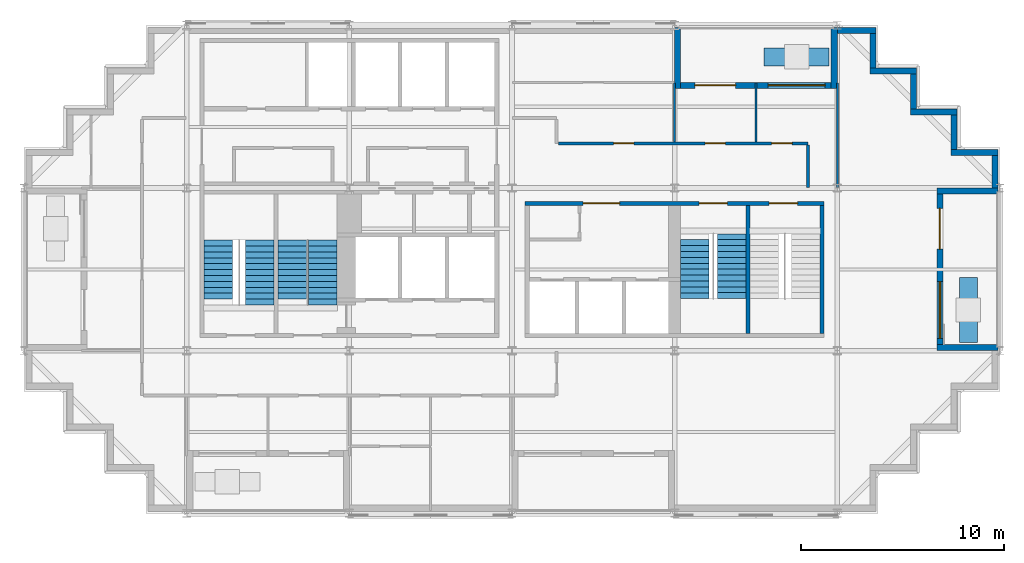
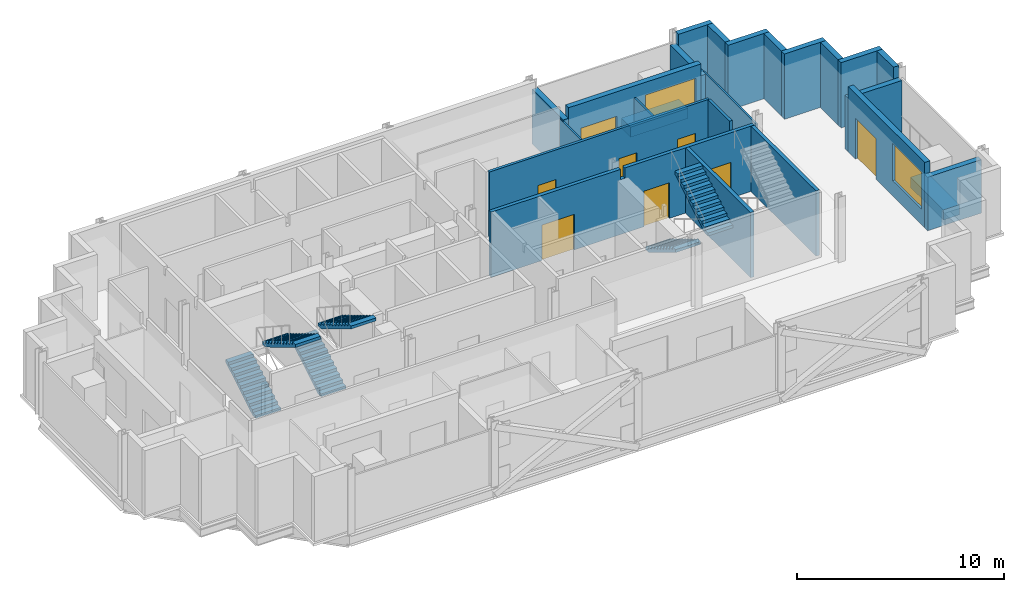
# One storey, part 5 of 8: 24 walls, 8 doors, 6 stair flights, 2 windows, 10 openings, 3 elements without a shape of their own.
"""IFC4 building model written with IfcOpenShell, lengths in metres."""

from ifc_helpers import new_model, si_unit, direction, frame, frame_2d, origin, place, context, subcontext, project, spatial, polyline, rectangle, outline, extrude, material, layer, layer_set, type_object, element, fill, aggregate, save


model = new_model("IFC4")

# Units and contexts
model_context = context("Model", 3, precision=1e-05, world=origin(), true_north=direction((0.0, 1.0)))
body_context = subcontext(model_context, "Body", "Model", "MODEL_VIEW")
ifc_project = project(units=[si_unit("LENGTHUNIT", "METRE"), si_unit("AREAUNIT", "SQUARE_METRE"), si_unit("VOLUMEUNIT", "CUBIC_METRE"), si_unit("PLANEANGLEUNIT", "RADIAN"), si_unit("MASSUNIT", "GRAM", prefix="KILO")], contexts=[model_context])

# Site, building, storey
site_placement = place(None, origin())
site = spatial("IfcSite", under=ifc_project, at=site_placement, CompositionType="ELEMENT")
building_placement = place(site_placement, origin())
building = spatial("IfcBuilding", under=site, at=building_placement, Name="Immortelle Media Tower", CompositionType="ELEMENT")
storey_placement = place(building_placement, frame((0.0, 0.0, 209.0)))
storey = spatial("IfcBuildingStorey", under=building, at=storey_placement, Name="L44", CompositionType="ELEMENT", Elevation=209.0)

# Wall
ifc_material_1 = material(Name="Fire-rated gypsum board", Category="gypsum")
ifc_layer_1 = layer(ifc_material_1, 0.012451171875)
ifc_material_2 = material(Name="Steel ASTM A653 SS Gr 50 stud frame with mineral wool", Category="steel")
ifc_layer_2 = layer(ifc_material_2, 0.125)
ifc_layer_3 = layer(ifc_material_1, 0.012451171875)
ifc_layer_set_1 = layer_set([ifc_layer_1, ifc_layer_2, ifc_layer_3], Name="Steel ASTM A653 SS Gr 50 stud frame with mineral wool")
wall_type_1 = type_object("IfcWallType", Name="Corridor wall 150", PredefinedType="PARTITIONING", material=ifc_layer_set_1)
wall_1_placement = place(storey_placement, frame((38.550048828125, 16.030029296875, 0.0), z_axis=(0.0, 0.0, 1.0), x_axis=(0.0, 1.0, 0.0)))
element("IfcWall", 1, at=wall_1_placement, inside=storey, type_object=wall_type_1, Name="Partition L44-016", PredefinedType="PARTITIONING", context=body_context, shape_type="SweptSolid", body=[
    extrude(rectangle(XDim=2.094970703125, YDim=0.14990234375, at=frame_2d((1.04736328125, 0.0))), origin(), (0.0, 0.0, 1.0), 3.85009765625),
])

# Wall, openings, doors
wall_2_placement = place(storey_placement, frame((26.27490234375, 18.199951171875, 0.0), z_axis=(0.0, 0.0, 1.0), x_axis=(1.0, 0.0, 0.0)))
wall_2 = element("IfcWall", 2, at=wall_2_placement, inside=storey, type_object=wall_type_1, Name="Partition L44-018", PredefinedType="PARTITIONING", context=body_context, shape_type="SweptSolid", body=[
    extrude(rectangle(XDim=12.275146484375, YDim=0.14990234375, at=frame_2d((6.1376953125, 0.0))), origin(), (0.0, 0.0, 1.0), 3.85009765625),
])
opening_1_placement = place(wall_2_placement, frame((7.22509765625, 0.0, 0.0)))
opening_1 = element("IfcOpeningElement", 3, at=opening_1_placement, cuts=wall_2, Name="Opening O3-F011", PredefinedType="OPENING", context=body_context, shape_type="SweptSolid", body=[
    extrude(rectangle(XDim=1.0, YDim=2.10009765625, at=frame_2d((0.5, 1.050048828125))), frame((0.0, 0.0849609375, 0.0), z_axis=(0.0, -1.0, 0.0), x_axis=(1.0, 0.0, 0.0)), (0.0, 0.0, 1.0), 0.169921875),
])
opening_2_placement = place(wall_2_placement, frame((10.5, 0.0, 0.0)))
opening_2 = element("IfcOpeningElement", 4, at=opening_2_placement, cuts=wall_2, Name="Opening O3-F012", PredefinedType="OPENING", context=body_context, shape_type="SweptSolid", body=[
    extrude(rectangle(XDim=1.0, YDim=2.10009765625, at=frame_2d((0.5, 1.050048828125))), frame((0.0, 0.0849609375, 0.0), z_axis=(0.0, -1.0, 0.0), x_axis=(1.0, 0.0, 0.0)), (0.0, 0.0, 1.0), 0.169921875),
])
opening_3_placement = place(wall_2_placement, frame((2.72509765625, 0.0, 0.0)))
opening_3 = element("IfcOpeningElement", 5, at=opening_3_placement, cuts=wall_2, Name="Opening O3-F013", PredefinedType="OPENING", context=body_context, shape_type="SweptSolid", body=[
    extrude(rectangle(XDim=1.0, YDim=2.10009765625, at=frame_2d((0.5, 1.050048828125))), frame((0.0, 0.0849609375, 0.0), z_axis=(0.0, -1.0, 0.0), x_axis=(1.0, 0.0, 0.0)), (0.0, 0.0, 1.0), 0.169921875),
])
ifc_material_3 = material(Name="Timber veneered door leaf, galvanised steel frame ASTM A653", Category="steel")
door_type_1 = type_object("IfcDoorType", Name="Room door 1000 x 2100", OperationType="NOTDEFINED", PredefinedType="DOOR", material=ifc_material_3)
door_1_placement = place(opening_1_placement, origin())
door_1 = element("IfcDoor", 6, at=door_1_placement, inside=storey, type_object=door_type_1, Name="Door O3-F011", OperationType="SINGLE_SWING_LEFT", OverallHeight=2.10009765625, OverallWidth=1.0, PredefinedType="DOOR", context=body_context, shape_type="SweptSolid", body=[
    extrude(rectangle(XDim=1.0, YDim=2.10009765625, at=frame_2d((0.5, 1.050048828125))), frame((0.0, 0.02490234375, 0.0), z_axis=(0.0, -1.0, 0.0), x_axis=(1.0, 0.0, 0.0)), (0.0, 0.0, 1.0), 0.050048828125),
])
fill(opening_1, door_1)
door_2_placement = place(opening_2_placement, origin())
door_2 = element("IfcDoor", 7, at=door_2_placement, inside=storey, type_object=door_type_1, Name="Door O3-F012", OperationType="SINGLE_SWING_LEFT", OverallHeight=2.10009765625, OverallWidth=1.0, PredefinedType="DOOR", context=body_context, shape_type="SweptSolid", body=[
    extrude(rectangle(XDim=1.0, YDim=2.10009765625, at=frame_2d((0.5, 1.050048828125))), frame((0.0, 0.02490234375, 0.0), z_axis=(0.0, -1.0, 0.0), x_axis=(1.0, 0.0, 0.0)), (0.0, 0.0, 1.0), 0.050048828125),
])
fill(opening_2, door_2)
door_3_placement = place(opening_3_placement, origin())
door_3 = element("IfcDoor", 8, at=door_3_placement, inside=storey, type_object=door_type_1, Name="Door O3-F013", OperationType="SINGLE_SWING_RIGHT", OverallHeight=2.10009765625, OverallWidth=1.0, PredefinedType="DOOR", context=body_context, shape_type="SweptSolid", body=[
    extrude(rectangle(XDim=1.0, YDim=2.10009765625, at=frame_2d((0.5, 1.050048828125))), frame((0.0, 0.02490234375, 0.0), z_axis=(0.0, -1.0, 0.0), x_axis=(1.0, 0.0, 0.0)), (0.0, 0.0, 1.0), 0.050048828125),
])
fill(opening_3, door_3)

# Wall, openings, door, window
ifc_material_4 = material(Name="Pale aluminium cladding panel", Category="aluminium")
ifc_layer_4 = layer(ifc_material_4, 0.030029296875)
ifc_layer_5 = layer(ifc_material_2, 0.257568359375)
ifc_material_5 = material(Name="Moisture-resistant gypsum board", Category="gypsum")
ifc_layer_6 = layer(ifc_material_5, 0.012451171875)
ifc_layer_set_2 = layer_set([ifc_layer_4, ifc_layer_5, ifc_layer_6], Name="Steel ASTM A653 SS Gr 50 stud frame with mineral wool")
wall_type_2 = type_object("IfcWallType", Name="Facade wall 300", PredefinedType="SOLIDWALL", material=ifc_layer_set_2)
wall_3_placement = place(storey_placement, frame((45.050048828125, 8.300048828125, 0.0), z_axis=(0.0, 0.0, 1.0), x_axis=(0.0, 1.0, 0.0)))
wall_3 = element("IfcWall", 9, at=wall_3_placement, inside=storey, type_object=wall_type_2, Name="Loggia wall L44 E13", PredefinedType="SOLIDWALL", context=body_context, shape_type="SweptSolid", body=[
    extrude(rectangle(XDim=7.39990234375, YDim=0.300048828125, at=frame_2d((3.699951171875, 0.0))), origin(), (0.0, 0.0, 1.0), 3.85009765625),
])
opening_4_placement = place(wall_3_placement, frame((0.300048828125, 0.0, 0.89990234375)))
opening_4 = element("IfcOpeningElement", 10, at=opening_4_placement, cuts=wall_3, Name="Opening W1", PredefinedType="OPENING", context=body_context, shape_type="SweptSolid", body=[
    extrude(rectangle(XDim=2.800048828125, YDim=2.199951171875, at=frame_2d((1.39990234375, 1.10009765625))), frame((0.0, 0.159912109375, 0.0), z_axis=(0.0, -1.0, 0.0), x_axis=(1.0, 0.0, 0.0)), (0.0, 0.0, 1.0), 0.320068359375),
])
opening_5_placement = place(wall_3_placement, frame((4.699951171875, 0.0, 0.0)))
opening_5 = element("IfcOpeningElement", 11, at=opening_5_placement, cuts=wall_3, Name="Opening O3-E003", PredefinedType="OPENING", context=body_context, shape_type="SweptSolid", body=[
    extrude(rectangle(XDim=2.0, YDim=2.39990234375, at=frame_2d((1.0, 1.199951171875))), frame((0.0, 0.159912109375, 0.0), z_axis=(0.0, -1.0, 0.0), x_axis=(1.0, 0.0, 0.0)), (0.0, 0.0, 1.0), 0.320068359375),
])
ifc_material_6 = material(Name="Aluminium frame, glazed leaves", Category="aluminium")
door_type_2 = type_object("IfcDoorType", Name="Loggia door 2000 x 2400", OperationType="DOUBLE_DOOR_SINGLE_SWING", PredefinedType="DOOR", material=ifc_material_6)
door_4_placement = place(opening_5_placement, origin())
door_4 = element("IfcDoor", 12, at=door_4_placement, inside=storey, type_object=door_type_2, Name="Door O3-E003", OperationType="DOUBLE_DOOR_SINGLE_SWING", OverallHeight=2.39990234375, OverallWidth=2.0, PredefinedType="DOOR", context=body_context, shape_type="SweptSolid", body=[
    extrude(rectangle(XDim=2.0, YDim=2.39990234375, at=frame_2d((1.0, 1.199951171875))), frame((0.0, 0.02490234375, 0.0), z_axis=(0.0, -1.0, 0.0), x_axis=(1.0, 0.0, 0.0)), (0.0, 0.0, 1.0), 0.050048828125),
])
fill(opening_5, door_4)
ifc_material_7 = material(Name="Aluminium frame", Category="aluminium")
window_type = type_object("IfcWindowType", Name="Window 2800 x 2200", PartitioningType="SINGLE_PANEL", PredefinedType="WINDOW", material=ifc_material_7)
window_1_placement = place(opening_4_placement, origin())
window_1 = element("IfcWindow", 13, at=window_1_placement, inside=storey, type_object=window_type, Name="Window L44 L44-R13-B0", OverallHeight=2.199951171875, OverallWidth=2.800048828125, PartitioningType="SINGLE_PANEL", PredefinedType="WINDOW", context=body_context, shape_type="SweptSolid", body=[
    extrude(rectangle(XDim=2.800048828125, YDim=2.199951171875, at=frame_2d((1.39990234375, 1.10009765625))), frame((0.0, 0.030029296875, 0.0), z_axis=(0.0, -1.0, 0.0), x_axis=(1.0, 0.0, 0.0)), (0.0, 0.0, 1.0), 0.06005859375),
])
fill(opening_4, window_1)

# Walls
for number, where, z_axis, x_axis, name in (
    (14, (47.89990234375, 8.14990234375, 0.0), (0.0, 0.0, 1.0), (-1.0, 0.0, 0.0), "Loggia cheek wall L44 E"),
    (15, (47.89990234375, 15.85009765625, 0.0), (0.0, 0.0, 1.0), (-1.0, 0.0, 0.0), "Loggia cheek wall L44 E"),
):
    element("IfcWall", number, at=place(storey_placement, frame(where, z_axis=z_axis, x_axis=x_axis)), inside=storey, type_object=wall_type_2, Name=name, PredefinedType="SOLIDWALL", context=body_context, shape_type="SweptSolid", body=[
        extrude(rectangle(XDim=3.0, YDim=0.300048828125, at=frame_2d((1.5, 0.0))), origin(), (0.0, 0.0, 1.0), 3.156005859375),
    ])
wall_4_placement = place(storey_placement, frame((47.75, 16.0, 0.0), z_axis=(0.0, 0.0, 1.0), x_axis=(0.0, 1.0, 0.0)))
element("IfcWall", 16, at=wall_4_placement, inside=storey, type_object=wall_type_2, Name="Facade wall L44 E13", PredefinedType="SOLIDWALL", context=body_context, shape_type="SweptSolid", body=[
    extrude(rectangle(XDim=1.60009765625, YDim=0.300048828125, at=frame_2d((0.800048828125, 0.0))), origin(), (0.0, 0.0, 1.0), 3.85009765625),
])
wall_5_placement = place(storey_placement, frame((47.89990234375, 17.75, 0.0), z_axis=(0.0, 0.0, 1.0), x_axis=(-1.0, 0.0, 0.0)))
element("IfcWall", 17, at=wall_5_placement, inside=storey, type_object=wall_type_2, Name="Facade wall L44 N14", PredefinedType="SOLIDWALL", context=body_context, shape_type="SweptSolid", body=[
    extrude(rectangle(XDim=2.2998046875, YDim=0.300048828125, at=frame_2d((1.14990234375, 0.0))), origin(), (0.0, 0.0, 1.0), 3.85009765625),
])
wall_6_placement = place(storey_placement, frame((45.75, 17.89990234375, 0.0), z_axis=(0.0, 0.0, 1.0), x_axis=(0.0, 1.0, 0.0)))
element("IfcWall", 18, at=wall_6_placement, inside=storey, type_object=wall_type_2, Name="Facade wall L44 E15", PredefinedType="SOLIDWALL", context=body_context, shape_type="SweptSolid", body=[
    extrude(rectangle(XDim=1.7001953125, YDim=0.300048828125, at=frame_2d((0.85009765625, 0.0))), origin(), (0.0, 0.0, 1.0), 3.85009765625),
])
wall_7_placement = place(storey_placement, frame((45.89990234375, 19.75, 0.0), z_axis=(0.0, 0.0, 1.0), x_axis=(-1.0, 0.0, 0.0)))
element("IfcWall", 19, at=wall_7_placement, inside=storey, type_object=wall_type_2, Name="Facade wall L44 N16", PredefinedType="SOLIDWALL", context=body_context, shape_type="SweptSolid", body=[
    extrude(rectangle(XDim=2.2998046875, YDim=0.300048828125, at=frame_2d((1.14990234375, 0.0))), origin(), (0.0, 0.0, 1.0), 3.85009765625),
])
wall_8_placement = place(storey_placement, frame((43.75, 19.89990234375, 0.0), z_axis=(0.0, 0.0, 1.0), x_axis=(0.0, 1.0, 0.0)))
element("IfcWall", 20, at=wall_8_placement, inside=storey, type_object=wall_type_2, Name="Facade wall L44 E17", PredefinedType="SOLIDWALL", context=body_context, shape_type="SweptSolid", body=[
    extrude(rectangle(XDim=1.7001953125, YDim=0.300048828125, at=frame_2d((0.85009765625, 0.0))), origin(), (0.0, 0.0, 1.0), 3.85009765625),
])
wall_9_placement = place(storey_placement, frame((43.89990234375, 21.75, 0.0), z_axis=(0.0, 0.0, 1.0), x_axis=(-1.0, 0.0, 0.0)))
element("IfcWall", 21, at=wall_9_placement, inside=storey, type_object=wall_type_2, Name="Facade wall L44 N18", PredefinedType="SOLIDWALL", context=body_context, shape_type="SweptSolid", body=[
    extrude(rectangle(XDim=2.2998046875, YDim=0.300048828125, at=frame_2d((1.14990234375, 0.0))), origin(), (0.0, 0.0, 1.0), 3.85009765625),
])
wall_10_placement = place(storey_placement, frame((41.75, 21.89990234375, 0.0), z_axis=(0.0, 0.0, 1.0), x_axis=(0.0, 1.0, 0.0)))
element("IfcWall", 22, at=wall_10_placement, inside=storey, type_object=wall_type_2, Name="Facade wall L44 E19", PredefinedType="SOLIDWALL", context=body_context, shape_type="SweptSolid", body=[
    extrude(rectangle(XDim=1.7001953125, YDim=0.300048828125, at=frame_2d((0.85009765625, 0.0))), origin(), (0.0, 0.0, 1.0), 3.85009765625),
])
wall_11_placement = place(storey_placement, frame((41.89990234375, 23.75, 0.0), z_axis=(0.0, 0.0, 1.0), x_axis=(-1.0, 0.0, 0.0)))
element("IfcWall", 23, at=wall_11_placement, inside=storey, type_object=wall_type_2, Name="Facade wall L44 N20", PredefinedType="SOLIDWALL", context=body_context, shape_type="SweptSolid", body=[
    extrude(rectangle(XDim=1.89990234375, YDim=0.300048828125, at=frame_2d((0.949951171875, 0.0))), origin(), (0.0, 0.0, 1.0), 3.85009765625),
])

# Wall, openings, door, window
wall_12_placement = place(storey_placement, frame((39.699951171875, 21.050048828125, 0.0), z_axis=(0.0, 0.0, 1.0), x_axis=(-1.0, 0.0, 0.0)))
wall_12 = element("IfcWall", 24, at=wall_12_placement, inside=storey, type_object=wall_type_2, Name="Loggia wall L44 N20", PredefinedType="SOLIDWALL", context=body_context, shape_type="SweptSolid", body=[
    extrude(rectangle(XDim=7.39990234375, YDim=0.300048828125, at=frame_2d((3.699951171875, 0.0))), origin(), (0.0, 0.0, 1.0), 3.85009765625),
])
opening_6_placement = place(wall_12_placement, frame((0.300048828125, 0.0, 0.89990234375)))
opening_6 = element("IfcOpeningElement", 25, at=opening_6_placement, cuts=wall_12, Name="Opening W1", PredefinedType="OPENING", context=body_context, shape_type="SweptSolid", body=[
    extrude(rectangle(XDim=2.800048828125, YDim=2.199951171875, at=frame_2d((1.39990234375, 1.10009765625))), frame((0.0, 0.159912109375, 0.0), z_axis=(0.0, -1.0, 0.0), x_axis=(1.0, 0.0, 0.0)), (0.0, 0.0, 1.0), 0.320068359375),
])
opening_7_placement = place(wall_12_placement, frame((4.699951171875, 0.0, 0.0)))
opening_7 = element("IfcOpeningElement", 26, at=opening_7_placement, cuts=wall_12, Name="Opening O3-E004", PredefinedType="OPENING", context=body_context, shape_type="SweptSolid", body=[
    extrude(rectangle(XDim=2.0, YDim=2.39990234375, at=frame_2d((1.0, 1.199951171875))), frame((0.0, 0.159912109375, 0.0), z_axis=(0.0, -1.0, 0.0), x_axis=(1.0, 0.0, 0.0)), (0.0, 0.0, 1.0), 0.320068359375),
])
door_5_placement = place(opening_7_placement, origin())
door_5 = element("IfcDoor", 27, at=door_5_placement, inside=storey, type_object=door_type_2, Name="Door O3-E004", OperationType="DOUBLE_DOOR_SINGLE_SWING", OverallHeight=2.39990234375, OverallWidth=2.0, PredefinedType="DOOR", context=body_context, shape_type="SweptSolid", body=[
    extrude(rectangle(XDim=2.0, YDim=2.39990234375, at=frame_2d((1.0, 1.199951171875))), frame((0.0, 0.02490234375, 0.0), z_axis=(0.0, -1.0, 0.0), x_axis=(1.0, 0.0, 0.0)), (0.0, 0.0, 1.0), 0.050048828125),
])
fill(opening_7, door_5)
window_2_placement = place(opening_6_placement, origin())
window_2 = element("IfcWindow", 28, at=window_2_placement, inside=storey, type_object=window_type, Name="Window L44 L44-R20-B0", OverallHeight=2.199951171875, OverallWidth=2.800048828125, PartitioningType="SINGLE_PANEL", PredefinedType="WINDOW", context=body_context, shape_type="SweptSolid", body=[
    extrude(rectangle(XDim=2.800048828125, YDim=2.199951171875, at=frame_2d((1.39990234375, 1.10009765625))), frame((0.0, 0.030029296875, 0.0), z_axis=(0.0, -1.0, 0.0), x_axis=(1.0, 0.0, 0.0)), (0.0, 0.0, 1.0), 0.06005859375),
])
fill(opening_6, window_2)

# Walls
wall_13_placement = place(storey_placement, frame((39.85009765625, 23.89990234375, 0.0), z_axis=(0.0, 0.0, 1.0), x_axis=(0.0, -1.0, 0.0)))
element("IfcWall", 29, at=wall_13_placement, inside=storey, type_object=wall_type_2, Name="Loggia cheek wall L44 N", PredefinedType="SOLIDWALL", context=body_context, shape_type="SweptSolid", body=[
    extrude(rectangle(XDim=3.0, YDim=0.300048828125, at=frame_2d((1.5, 0.0))), origin(), (0.0, 0.0, 1.0), 3.156005859375),
])
wall_14_placement = place(storey_placement, frame((32.14990234375, 23.89990234375, 0.0), z_axis=(0.0, 0.0, 1.0), x_axis=(0.0, -1.0, 0.0)))
element("IfcWall", 30, at=wall_14_placement, inside=storey, type_object=wall_type_2, Name="Loggia cheek wall L44 N", PredefinedType="SOLIDWALL", context=body_context, shape_type="SweptSolid", body=[
    extrude(rectangle(XDim=3.0, YDim=0.300048828125, at=frame_2d((1.5, 0.0))), origin(), (0.0, 0.0, 1.0), 3.237060546875),
])
ifc_material_8 = material(Name="Gypsum board", Category="gypsum")
ifc_layer_7 = layer(ifc_material_8, 0.012451171875)
ifc_layer_8 = layer(ifc_material_2, 0.074951171875)
ifc_layer_9 = layer(ifc_material_8, 0.012451171875)
ifc_layer_set_3 = layer_set([ifc_layer_7, ifc_layer_8, ifc_layer_9], Name="Steel ASTM A653 SS Gr 50 stud frame with mineral wool")
wall_type_3 = type_object("IfcWallType", Name="Partition 100", PredefinedType="PARTITIONING", material=ifc_layer_set_3)
wall_15_placement = place(storey_placement, frame((40.0, 16.030029296875, 0.0), z_axis=(0.0, 0.0, 1.0), x_axis=(0.0, 1.0, 0.0)))
element("IfcWall", 31, at=wall_15_placement, inside=storey, type_object=wall_type_3, Name="Partition L44-017", PredefinedType="PARTITIONING", context=body_context, shape_type="SweptSolid", body=[
    extrude(rectangle(XDim=5.139892578125, YDim=0.10009765625, at=frame_2d((2.56982421875, 0.0))), origin(), (0.0, 0.0, 1.0), 3.156982421875),
])
for number, where, z_axis, x_axis, name in (
    (32, (32.0, 18.27490234375, 0.0), (0.0, 0.0, 1.0), (0.0, 1.0, 0.0), "Partition L44-020"),
    (33, (36.0, 18.27490234375, 0.0), (0.0, 0.0, 1.0), (0.0, 1.0, 0.0), "Partition L44-021"),
):
    element("IfcWall", number, at=place(storey_placement, frame(where, z_axis=z_axis, x_axis=x_axis)), inside=storey, type_object=wall_type_3, Name=name, PredefinedType="PARTITIONING", context=body_context, shape_type="SweptSolid", body=[
        extrude(rectangle(XDim=2.89501953125, YDim=0.10009765625, at=frame_2d((1.447509765625, 0.0))), origin(), (0.0, 0.0, 1.0), 3.156982421875),
    ])
ifc_layer_10 = layer(ifc_material_4, 0.0029296875)
ifc_material_9 = material(Name="Steel ASTM A572 Gr 50 planter shell", Category="steel")
ifc_layer_11 = layer(ifc_material_9, 0.011962890625)
ifc_material_10 = material(Name="Planting substrate", Category="soil")
ifc_layer_12 = layer(ifc_material_10, 0.873046875)
ifc_layer_13 = layer(ifc_material_9, 0.011962890625)
ifc_layer_set_4 = layer_set([ifc_layer_10, ifc_layer_11, ifc_layer_12, ifc_layer_13], Name="Steel ASTM A572 Gr 50 planter shell")
wall_type_4 = type_object("IfcWallType", Name="Planter wall 900", PredefinedType="SOLIDWALL", material=ifc_layer_set_4)
for number, where, z_axis, x_axis, name in (
    (34, (46.449951171875, 8.39990234375, 0.0), (0.0, 0.0, 1.0), (0.0, 1.0, 0.0), "Planter L44 E0"),
    (35, (39.60009765625, 22.449951171875, 0.0), (0.0, 0.0, 1.0), (-1.0, 0.0, 0.0), "Planter L44 N0"),
):
    element("IfcWall", number, at=place(storey_placement, frame(where, z_axis=z_axis, x_axis=x_axis)), inside=storey, type_object=wall_type_4, Name=name, PredefinedType="SOLIDWALL", context=body_context, shape_type="SweptSolid", body=[
        extrude(rectangle(XDim=3.2001953125, YDim=0.89990234375, at=frame_2d((1.60009765625, 0.0))), origin(), (0.0, 0.0, 1.0), 0.60009765625),
    ])

# Wall, openings, doors
ifc_material_11 = material(Name="Concrete C60", Category="concrete")
ifc_layer_14 = layer(ifc_material_11, 0.199951171875)
ifc_layer_set_5 = layer_set([ifc_layer_14], Name="Concrete C60")
wall_type_5 = type_object("IfcWallType", Name="Stair shaft wall 200", PredefinedType="PARTITIONING", material=ifc_layer_set_5)
wall_16_placement = place(storey_placement, frame((24.64990234375, 15.25, 0.0), z_axis=(0.0, 0.0, 1.0), x_axis=(1.0, 0.0, 0.0)))
wall_16 = element("IfcWall", 36, at=wall_16_placement, inside=storey, type_object=wall_type_5, Name="Stair shaft wall SE", PredefinedType="PARTITIONING", context=body_context, shape_type="SweptSolid", body=[
    extrude(outline(polyline([(0.0, 0.0), (14.7001953125, 0.0), (14.699951171875, 3.85009765625), (7.468994140625, 3.85009765625), (7.468017578125, 3.241943359375), (7.23193359375, 3.241943359375), (7.23095703125, 3.85009765625), (0.0, 3.85009765625), (0.0, 0.0)])), frame((0.0, 0.10009765625, 0.0), z_axis=(0.0, -1.0, 0.0), x_axis=(1.0, 0.0, 0.0)), (0.0, 0.0, 1.0), 0.199951171875),
])
opening_8_placement = place(wall_16_placement, frame((2.85009765625, 0.0, 0.0)))
opening_8 = element("IfcOpeningElement", 37, at=opening_8_placement, cuts=wall_16, Name="Opening O3-K023", PredefinedType="OPENING", context=body_context, shape_type="SweptSolid", body=[
    extrude(rectangle(XDim=1.800048828125, YDim=2.10009765625, at=frame_2d((0.89990234375, 1.050048828125))), frame((0.0, 0.10986328125, 0.0), z_axis=(0.0, -1.0, 0.0), x_axis=(1.0, 0.0, 0.0)), (0.0, 0.0, 1.0), 0.219970703125),
])
opening_9_placement = place(wall_16_placement, frame((9.949951171875, 0.0, 0.0), z_axis=(0.0, 0.0, 1.0), x_axis=(-1.0, 0.0, 0.0)))
opening_9 = element("IfcOpeningElement", 38, at=opening_9_placement, cuts=wall_16, Name="Opening O3-K025", PredefinedType="OPENING", context=body_context, shape_type="SweptSolid", body=[
    extrude(rectangle(XDim=1.39990234375, YDim=2.10009765625, at=frame_2d((0.699951171875, 1.050048828125))), frame((0.0, 0.10986328125, 0.0), z_axis=(0.0, -1.0, 0.0), x_axis=(1.0, 0.0, 0.0)), (0.0, 0.0, 1.0), 0.219970703125),
])
opening_10_placement = place(wall_16_placement, frame((13.39990234375, 0.0, 0.0), z_axis=(0.0, 0.0, 1.0), x_axis=(-1.0, 0.0, 0.0)))
opening_10 = element("IfcOpeningElement", 39, at=opening_10_placement, cuts=wall_16, Name="Opening O3-K026", PredefinedType="OPENING", context=body_context, shape_type="SweptSolid", body=[
    extrude(rectangle(XDim=1.39990234375, YDim=2.10009765625, at=frame_2d((0.699951171875, 1.050048828125))), frame((0.0, 0.10986328125, 0.0), z_axis=(0.0, -1.0, 0.0), x_axis=(1.0, 0.0, 0.0)), (0.0, 0.0, 1.0), 0.219970703125),
])
ifc_material_12 = material(Name="Galvanised steel door leaf and frame ASTM A653", Category="steel")
door_type_3 = type_object("IfcDoorType", Name="Lift lobby door 1800 x 2100", OperationType="DOUBLE_DOOR_SINGLE_SWING", PredefinedType="NOTDEFINED", material=ifc_material_12)
door_6_placement = place(opening_8_placement, origin())
door_6 = element("IfcDoor", 40, at=door_6_placement, inside=storey, type_object=door_type_3, Name="Lift lobby O3-K023", OperationType="DOUBLE_DOOR_SINGLE_SWING", OverallHeight=2.10009765625, OverallWidth=1.800048828125, PredefinedType="NOTDEFINED", context=body_context, shape_type="SweptSolid", body=[
    extrude(rectangle(XDim=1.800048828125, YDim=2.10009765625, at=frame_2d((0.89990234375, 1.050048828125))), frame((0.0, 0.02490234375, 0.0), z_axis=(0.0, -1.0, 0.0), x_axis=(1.0, 0.0, 0.0)), (0.0, 0.0, 1.0), 0.050048828125),
])
fill(opening_8, door_6)
door_type_4 = type_object("IfcDoorType", Name="Stair door 1400 x 2100", OperationType="DOUBLE_DOOR_SINGLE_SWING", PredefinedType="NOTDEFINED", material=ifc_material_12)
door_7_placement = place(opening_9_placement, origin())
door_7 = element("IfcDoor", 41, at=door_7_placement, inside=storey, type_object=door_type_4, Name="Stair O3-K025", OperationType="DOUBLE_DOOR_SINGLE_SWING", OverallHeight=2.10009765625, OverallWidth=1.39990234375, PredefinedType="NOTDEFINED", context=body_context, shape_type="SweptSolid", body=[
    extrude(rectangle(XDim=1.39990234375, YDim=2.10009765625, at=frame_2d((0.699951171875, 1.050048828125))), frame((0.0, 0.02490234375, 0.0), z_axis=(0.0, -1.0, 0.0), x_axis=(1.0, 0.0, 0.0)), (0.0, 0.0, 1.0), 0.050048828125),
])
fill(opening_9, door_7)
door_8_placement = place(opening_10_placement, origin())
door_8 = element("IfcDoor", 42, at=door_8_placement, inside=storey, type_object=door_type_4, Name="Stair O3-K026", OperationType="DOUBLE_DOOR_SINGLE_SWING", OverallHeight=2.10009765625, OverallWidth=1.39990234375, PredefinedType="NOTDEFINED", context=body_context, shape_type="SweptSolid", body=[
    extrude(rectangle(XDim=1.39990234375, YDim=2.10009765625, at=frame_2d((0.699951171875, 1.050048828125))), frame((0.0, 0.02490234375, 0.0), z_axis=(0.0, -1.0, 0.0), x_axis=(1.0, 0.0, 0.0)), (0.0, 0.0, 1.0), 0.050048828125),
])
fill(opening_10, door_8)

# Walls
for number, where, z_axis, x_axis, name in (
    (43, (35.60009765625, 8.85009765625, 0.0), (0.0, 0.0, 1.0), (0.0, 1.0, 0.0), "Stair shaft wall SE"),
    (44, (39.25, 8.85009765625, 0.0), (0.0, 0.0, 1.0), (0.0, 1.0, 0.0), "Stair shaft wall SE"),
):
    element("IfcWall", number, at=place(storey_placement, frame(where, z_axis=z_axis, x_axis=x_axis)), inside=storey, type_object=wall_type_5, Name=name, PredefinedType="PARTITIONING", context=body_context, shape_type="SweptSolid", body=[
        extrude(rectangle(XDim=6.2998046875, YDim=0.199951171875, at=frame_2d((3.14990234375, 0.0))), origin(), (0.0, 0.0, 1.0), 3.85009765625),
    ])

# Stair, stair flights
ifc_material_13 = material(Name="Steel ASTM A992 Gr 50", Category="steel")
stair_type = type_object("IfcStairType", Name="Stair with flights", PredefinedType="DOUBLE_RETURN_STAIR", material=ifc_material_13)
stair_1_placement = place(storey_placement, origin())
stair_1 = element("IfcStair", 45, at=stair_1_placement, inside=storey, type_object=stair_type, Name="Exit stair SW1", PredefinedType="DOUBLE_RETURN_STAIR")
stair_flight_type = type_object("IfcStairFlightType", Name="Stair flight 1400", PredefinedType="STRAIGHT", material=ifc_material_13)
stair_flight_1_placement = place(storey_placement, frame((9.550048828125, 10.5400390625, 0.0), z_axis=(0.0, 0.0, 1.0), x_axis=(0.0, 1.0, 0.0)))
stair_flight_1 = element("IfcStairFlight", 46, at=stair_flight_1_placement, type_object=stair_flight_type, Name="ST SW1 flight 1", NumberOfRisers=11, NumberOfTreads=10, PredefinedType="STRAIGHT", RiserHeight=0.173913043, TreadLength=0.29, context=body_context, shape_type="SweptSolid", body=[
    extrude(outline(polyline([(0.0, 0.0), (0.0, 0.173828125), (0.2900390625, 0.173828125), (0.2900390625, 0.347900390625), (0.580078125, 0.347900390625), (0.580078125, 0.521728515625), (0.8701171875, 0.521728515625), (0.8701171875, 0.695556640625), (1.159912109375, 0.695556640625), (1.159912109375, 0.86962890625), (1.449951171875, 0.86962890625), (1.449951171875, 1.04345703125), (1.739990234375, 1.04345703125), (1.739990234375, 1.21728515625), (2.030029296875, 1.21728515625), (2.030029296875, 1.391357421875), (2.320068359375, 1.391357421875), (2.320068359375, 1.565185546875), (2.610107421875, 1.565185546875), (2.610107421875, 1.739013671875), (2.89990234375, 1.739013671875), (2.89990234375, 1.9130859375), (2.89990234375, 1.564453125), (0.29150390625, 0.0), (0.0, 0.0)])), frame((0.0, 0.699951171875, 0.0), z_axis=(0.0, -1.0, 0.0), x_axis=(1.0, 0.0, 0.0)), (0.0, 0.0, 1.0), 1.39990234375),
])
stair_flight_2_placement = place(storey_placement, frame((11.60009765625, 13.43994140625, 1.9130859375), z_axis=(0.0, 0.0, 1.0), x_axis=(0.0, -1.0, 0.0)))
stair_flight_2 = element("IfcStairFlight", 47, at=stair_flight_2_placement, type_object=stair_flight_type, Name="ST SW1 flight 2", NumberOfRisers=12, NumberOfTreads=11, PredefinedType="STRAIGHT", RiserHeight=0.173913043, TreadLength=0.29, context=body_context, shape_type="SweptSolid", body=[
    extrude(outline(polyline([(0.0, 0.0), (0.0, 0.173828125), (0.2900390625, 0.173828125), (0.2900390625, 0.347900390625), (0.580078125, 0.347900390625), (0.580078125, 0.521728515625), (0.8701171875, 0.521728515625), (0.8701171875, 0.695556640625), (1.159912109375, 0.695556640625), (1.159912109375, 0.86962890625), (1.449951171875, 0.86962890625), (1.449951171875, 1.04345703125), (1.739990234375, 1.04345703125), (1.739990234375, 1.21728515625), (2.030029296875, 1.21728515625), (2.030029296875, 1.391357421875), (2.320068359375, 1.391357421875), (2.320068359375, 1.565185546875), (2.610107421875, 1.565185546875), (2.610107421875, 1.739013671875), (2.89990234375, 1.739013671875), (2.89990234375, 1.9130859375), (3.18994140625, 1.9130859375), (3.18994140625, 2.0869140625), (3.18994140625, 1.73828125), (0.29150390625, 0.0), (0.0, 0.0)])), frame((0.0, 0.699951171875, 0.0), z_axis=(0.0, -1.0, 0.0), x_axis=(1.0, 0.0, 0.0)), (0.0, 0.0, 1.0), 1.39990234375),
])
aggregate(stair_1, [stair_flight_1, stair_flight_2])

stair_2_placement = place(storey_placement, origin())
stair_2 = element("IfcStair", 48, at=stair_2_placement, inside=storey, type_object=stair_type, Name="Exit stair SW2", PredefinedType="DOUBLE_RETURN_STAIR")
stair_flight_3_placement = place(storey_placement, frame((13.199951171875, 10.5400390625, 0.0), z_axis=(0.0, 0.0, 1.0), x_axis=(0.0, 1.0, 0.0)))
stair_flight_3 = element("IfcStairFlight", 49, at=stair_flight_3_placement, type_object=stair_flight_type, Name="ST SW2 flight 1", NumberOfRisers=11, NumberOfTreads=10, PredefinedType="STRAIGHT", RiserHeight=0.173913043, TreadLength=0.29, context=body_context, shape_type="SweptSolid", body=[
    extrude(outline(polyline([(0.0, 0.0), (0.0, 0.173828125), (0.2900390625, 0.173828125), (0.2900390625, 0.347900390625), (0.580078125, 0.347900390625), (0.580078125, 0.521728515625), (0.8701171875, 0.521728515625), (0.8701171875, 0.695556640625), (1.159912109375, 0.695556640625), (1.159912109375, 0.86962890625), (1.449951171875, 0.86962890625), (1.449951171875, 1.04345703125), (1.739990234375, 1.04345703125), (1.739990234375, 1.21728515625), (2.030029296875, 1.21728515625), (2.030029296875, 1.391357421875), (2.320068359375, 1.391357421875), (2.320068359375, 1.565185546875), (2.610107421875, 1.565185546875), (2.610107421875, 1.739013671875), (2.89990234375, 1.739013671875), (2.89990234375, 1.9130859375), (2.89990234375, 1.564453125), (0.29150390625, 0.0), (0.0, 0.0)])), frame((0.0, 0.699951171875, 0.0), z_axis=(0.0, -1.0, 0.0), x_axis=(1.0, 0.0, 0.0)), (0.0, 0.0, 1.0), 1.39990234375),
])
stair_flight_4_placement = place(storey_placement, frame((14.699951171875, 13.43994140625, 1.9130859375), z_axis=(0.0, 0.0, 1.0), x_axis=(0.0, -1.0, 0.0)))
stair_flight_4 = element("IfcStairFlight", 50, at=stair_flight_4_placement, type_object=stair_flight_type, Name="ST SW2 flight 2", NumberOfRisers=12, NumberOfTreads=11, PredefinedType="STRAIGHT", RiserHeight=0.173913043, TreadLength=0.29, context=body_context, shape_type="SweptSolid", body=[
    extrude(outline(polyline([(0.0, 0.0), (0.0, 0.173828125), (0.2900390625, 0.173828125), (0.2900390625, 0.347900390625), (0.580078125, 0.347900390625), (0.580078125, 0.521728515625), (0.8701171875, 0.521728515625), (0.8701171875, 0.695556640625), (1.159912109375, 0.695556640625), (1.159912109375, 0.86962890625), (1.449951171875, 0.86962890625), (1.449951171875, 1.04345703125), (1.739990234375, 1.04345703125), (1.739990234375, 1.21728515625), (2.030029296875, 1.21728515625), (2.030029296875, 1.391357421875), (2.320068359375, 1.391357421875), (2.320068359375, 1.565185546875), (2.610107421875, 1.565185546875), (2.610107421875, 1.739013671875), (2.89990234375, 1.739013671875), (2.89990234375, 1.9130859375), (3.18994140625, 1.9130859375), (3.18994140625, 2.0869140625), (3.18994140625, 1.73828125), (0.29150390625, 0.0), (0.0, 0.0)])), frame((0.0, 0.699951171875, 0.0), z_axis=(0.0, -1.0, 0.0), x_axis=(1.0, 0.0, 0.0)), (0.0, 0.0, 1.0), 1.39990234375),
])
aggregate(stair_2, [stair_flight_3, stair_flight_4])

stair_3_placement = place(storey_placement, origin())
stair_3 = element("IfcStair", 51, at=stair_3_placement, inside=storey, type_object=stair_type, Name="Exit stair SE1", PredefinedType="DOUBLE_RETURN_STAIR")
stair_flight_5_placement = place(storey_placement, frame((33.0, 13.4599609375, 0.0), z_axis=(0.0, 0.0, 1.0), x_axis=(0.0, -1.0, 0.0)))
stair_flight_5 = element("IfcStairFlight", 52, at=stair_flight_5_placement, type_object=stair_flight_type, Name="ST SE1 flight 1", NumberOfRisers=11, NumberOfTreads=10, PredefinedType="STRAIGHT", RiserHeight=0.173913043, TreadLength=0.29, context=body_context, shape_type="SweptSolid", body=[
    extrude(outline(polyline([(0.0, 0.0), (0.0, 0.173828125), (0.2900390625, 0.173828125), (0.2900390625, 0.347900390625), (0.580078125, 0.347900390625), (0.580078125, 0.521728515625), (0.8701171875, 0.521728515625), (0.8701171875, 0.695556640625), (1.159912109375, 0.695556640625), (1.159912109375, 0.86962890625), (1.449951171875, 0.86962890625), (1.449951171875, 1.04345703125), (1.739990234375, 1.04345703125), (1.739990234375, 1.21728515625), (2.030029296875, 1.21728515625), (2.030029296875, 1.391357421875), (2.320068359375, 1.391357421875), (2.320068359375, 1.565185546875), (2.610107421875, 1.565185546875), (2.610107421875, 1.739013671875), (2.89990234375, 1.739013671875), (2.89990234375, 1.9130859375), (2.89990234375, 1.564453125), (0.29150390625, 0.0), (0.0, 0.0)])), frame((0.0, 0.699951171875, 0.0), z_axis=(0.0, -1.0, 0.0), x_axis=(1.0, 0.0, 0.0)), (0.0, 0.0, 1.0), 1.39990234375),
])
stair_flight_6_placement = place(storey_placement, frame((34.800048828125, 10.56005859375, 1.9130859375), z_axis=(0.0, 0.0, 1.0), x_axis=(0.0, 1.0, 0.0)))
stair_flight_6 = element("IfcStairFlight", 53, at=stair_flight_6_placement, type_object=stair_flight_type, Name="ST SE1 flight 2", NumberOfRisers=12, NumberOfTreads=11, PredefinedType="STRAIGHT", RiserHeight=0.173913043, TreadLength=0.29, context=body_context, shape_type="SweptSolid", body=[
    extrude(outline(polyline([(0.0, 0.0), (0.0, 0.173828125), (0.2900390625, 0.173828125), (0.2900390625, 0.347900390625), (0.580078125, 0.347900390625), (0.580078125, 0.521728515625), (0.8701171875, 0.521728515625), (0.8701171875, 0.695556640625), (1.159912109375, 0.695556640625), (1.159912109375, 0.86962890625), (1.449951171875, 0.86962890625), (1.449951171875, 1.04345703125), (1.739990234375, 1.04345703125), (1.739990234375, 1.21728515625), (2.030029296875, 1.21728515625), (2.030029296875, 1.391357421875), (2.320068359375, 1.391357421875), (2.320068359375, 1.565185546875), (2.610107421875, 1.565185546875), (2.610107421875, 1.739013671875), (2.89990234375, 1.739013671875), (2.89990234375, 1.9130859375), (3.18994140625, 1.9130859375), (3.18994140625, 2.0869140625), (3.18994140625, 1.73828125), (0.29150390625, 0.0), (0.0, 0.0)])), frame((0.0, 0.699951171875, 0.0), z_axis=(0.0, -1.0, 0.0), x_axis=(1.0, 0.0, 0.0)), (0.0, 0.0, 1.0), 1.39990234375),
])
aggregate(stair_3, [stair_flight_5, stair_flight_6])

save(model, "model.ifc")
